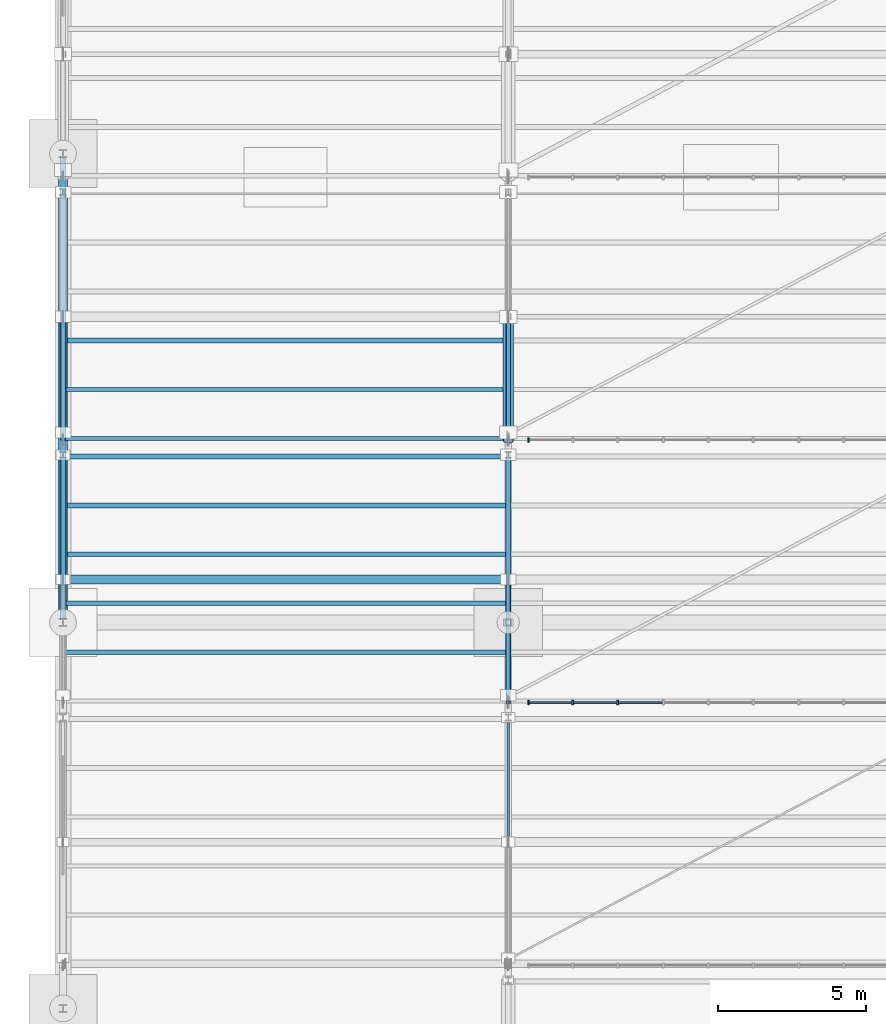
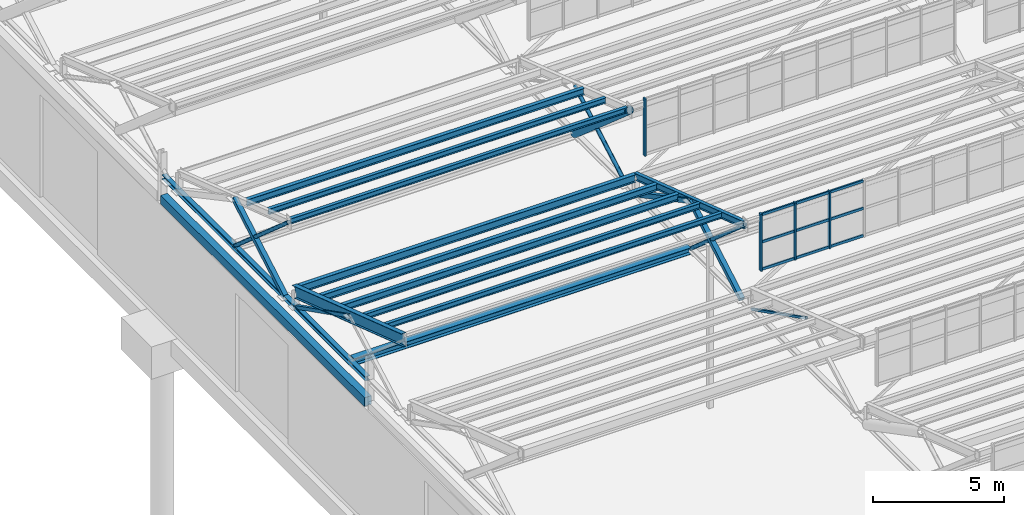
# One storey, part 51 of 285: 23 members, 12 beams, 2 elements without a shape of their own.
"""IFC4 building model written with IfcOpenShell, lengths in metres."""

from ifc_helpers import new_model, si_unit, direction, frame, origin, origin_2d, place, context, subcontext, project, spatial, rectangle, hollow_rectangle, hollow_circle, i_section, extrude, material, material_profile, profile_set, type_object, element, aggregate, save


model = new_model("IFC4")

# Units and contexts
model_context = context("Model", 3, precision=1e-05, world=origin(), true_north=direction((0.0, 1.0)))
body_context = subcontext(model_context, "Body", "Model", "MODEL_VIEW")
ifc_project = project(units=[si_unit("LENGTHUNIT", "METRE"), si_unit("AREAUNIT", "SQUARE_METRE"), si_unit("VOLUMEUNIT", "CUBIC_METRE"), si_unit("PLANEANGLEUNIT", "RADIAN"), si_unit("MASSUNIT", "GRAM", prefix="KILO")], contexts=[model_context])

# Site, building, storey
site_placement = place(None, origin())
site = spatial("IfcSite", under=ifc_project, at=site_placement, CompositionType="ELEMENT")
building_placement = place(site_placement, origin())
building = spatial("IfcBuilding", under=site, at=building_placement, Name="Solanera Park Tramway Depot", CompositionType="ELEMENT")
storey_placement = place(building_placement, origin())
storey = spatial("IfcBuildingStorey", under=building, at=storey_placement, Name="L00", CompositionType="ELEMENT", Elevation=0.0)

# Curtain wall, members
ifc_material_1 = material(Name="Bronze-anodised thermally broken aluminium curtain wall", Category="aluminium")
curtain_wall_type = type_object("IfcCurtainWallType", Name="Sawtooth Clerestory Monitor Curtain Wall", PredefinedType="NOTDEFINED", material=ifc_material_1)
curtain_wall_1_placement = place(storey_placement, origin())
curtain_wall_1 = element("IfcCurtainWall", 1, at=curtain_wall_1_placement, inside=storey, type_object=curtain_wall_type, Name="L00 Sawtooth Clerestory Monitor Curtain Wall #020", PredefinedType="NOTDEFINED")
ifc_material_2 = material(Name="Bronze-anodised structural aluminium 6063-T6", Category="aluminium")
ifc_material_profile_1 = material_profile(ifc_material_2, rectangle(XDim=0.06494140625, YDim=0.14990234375, at=origin_2d()), Name="Curtain Wall Mullion 65x150")
ifc_profile_set_1 = profile_set([ifc_material_profile_1], Name="Bronze-anodised structural aluminium 6063-T6")
member_type_1 = type_object("IfcMemberType", Name="Curtain Wall Mullion 65x150", PredefinedType="MULLION", material=ifc_profile_set_1)
member_1_placement = place(storey_placement, frame((15.6826171875, 82.300048828125, 7.75), z_axis=(0.0, 0.0, 1.0), x_axis=(1.0, 0.0, 0.0)))
member_1 = element("IfcMember", 2, at=member_1_placement, type_object=member_type_1, Name="CW-L00-020 Mullion 1", PredefinedType="MULLION", context=body_context, shape_type="SweptSolid", body=[
    extrude(rectangle(XDim=0.06494140625, YDim=0.14990234375, at=origin_2d()), origin(), (0.0, 0.0, 1.0), 2.6611328125),
])
member_2_placement = place(storey_placement, frame((17.172119140625, 82.300048828125, 7.75), z_axis=(0.0, 0.0, 1.0), x_axis=(1.0, 0.0, 0.0)))
member_2 = element("IfcMember", 3, at=member_2_placement, type_object=member_type_1, Name="CW-L00-020 Mullion 2", PredefinedType="MULLION", context=body_context, shape_type="SweptSolid", body=[
    extrude(rectangle(XDim=0.06494140625, YDim=0.14990234375, at=origin_2d()), origin(), (0.0, 0.0, 1.0), 2.6611328125),
])
member_3_placement = place(storey_placement, frame((18.6943359375, 82.300048828125, 7.75), z_axis=(0.0, 0.0, 1.0), x_axis=(1.0, 0.0, 0.0)))
member_3 = element("IfcMember", 4, at=member_3_placement, type_object=member_type_1, Name="CW-L00-020 Mullion 3", PredefinedType="MULLION", context=body_context, shape_type="SweptSolid", body=[
    extrude(rectangle(XDim=0.06494140625, YDim=0.14990234375, at=origin_2d()), origin(), (0.0, 0.0, 1.0), 2.6611328125),
])

# Curtain wall, member
curtain_wall_2_placement = place(storey_placement, origin())
curtain_wall_2 = element("IfcCurtainWall", 5, at=curtain_wall_2_placement, inside=storey, type_object=curtain_wall_type, Name="L00 Sawtooth Clerestory Monitor Curtain Wall #028", PredefinedType="NOTDEFINED")
member_4_placement = place(storey_placement, frame((15.6826171875, 91.14990234375, 7.75), z_axis=(0.0, 0.0, 1.0), x_axis=(1.0, 0.0, 0.0)))
member_4 = element("IfcMember", 6, at=member_4_placement, type_object=member_type_1, Name="CW-L00-028 Mullion 1", PredefinedType="MULLION", context=body_context, shape_type="SweptSolid", body=[
    extrude(rectangle(XDim=0.06494140625, YDim=0.14990234375, at=origin_2d()), origin(), (0.0, 0.0, 1.0), 2.6611328125),
])
aggregate(curtain_wall_2, [member_4])

# Member
ifc_material_3 = material(Name="Bronze-anodised structural aluminium 6063-T6", Category="aluminium")
ifc_material_profile_2 = material_profile(ifc_material_3, rectangle(XDim=0.06494140625, YDim=0.1201171875, at=origin_2d()), Name="Curtain Wall Transom 65x120")
ifc_profile_set_2 = profile_set([ifc_material_profile_2], Name="Bronze-anodised structural aluminium 6063-T6")
member_type_2 = type_object("IfcMemberType", Name="Curtain Wall Transom 65x120", PredefinedType="USERDEFINED", material=ifc_profile_set_2)
member_5_placement = place(storey_placement, frame((15.71044921875, 82.300048828125, 7.81005859375), z_axis=(1.0, 0.0, 0.0), x_axis=(0.0, 1.0, 0.0)))
member_5 = element("IfcMember", 7, at=member_5_placement, type_object=member_type_2, Name="CW-L00-020 Transom R1.C1", ObjectType="TRANSOM", PredefinedType="USERDEFINED", context=body_context, shape_type="SweptSolid", body=[
    extrude(rectangle(XDim=0.06494140625, YDim=0.1201171875, at=origin_2d()), origin(), (0.0, 0.0, 1.0), 1.433837890625),
])

member_6_placement = place(storey_placement, frame((17.2001953125, 82.300048828125, 7.81005859375), z_axis=(1.0, 0.0, 0.0), x_axis=(0.0, 1.0, 0.0)))
member_6 = element("IfcMember", 8, at=member_6_placement, type_object=member_type_2, Name="CW-L00-020 Transom R1.C2", ObjectType="TRANSOM", PredefinedType="USERDEFINED", context=body_context, shape_type="SweptSolid", body=[
    extrude(rectangle(XDim=0.06494140625, YDim=0.1201171875, at=origin_2d()), origin(), (0.0, 0.0, 1.0), 1.46630859375),
])

member_7_placement = place(storey_placement, frame((18.722412109375, 82.300048828125, 7.81005859375), z_axis=(1.0, 0.0, 0.0), x_axis=(0.0, 1.0, 0.0)))
member_7 = element("IfcMember", 9, at=member_7_placement, type_object=member_type_2, Name="CW-L00-020 Transom R1.C3", ObjectType="TRANSOM", PredefinedType="USERDEFINED", context=body_context, shape_type="SweptSolid", body=[
    extrude(rectangle(XDim=0.06494140625, YDim=0.1201171875, at=origin_2d()), origin(), (0.0, 0.0, 1.0), 1.46630859375),
])

member_8_placement = place(storey_placement, frame((15.71044921875, 82.300048828125, 9.08056640625), z_axis=(1.0, 0.0, 0.0), x_axis=(0.0, 1.0, 0.0)))
member_8 = element("IfcMember", 10, at=member_8_placement, type_object=member_type_2, Name="CW-L00-020 Transom R2.C1", ObjectType="TRANSOM", PredefinedType="USERDEFINED", context=body_context, shape_type="SweptSolid", body=[
    extrude(rectangle(XDim=0.06494140625, YDim=0.1201171875, at=origin_2d()), origin(), (0.0, 0.0, 1.0), 1.433837890625),
])

member_9_placement = place(storey_placement, frame((17.2001953125, 82.300048828125, 9.08056640625), z_axis=(1.0, 0.0, 0.0), x_axis=(0.0, 1.0, 0.0)))
member_9 = element("IfcMember", 11, at=member_9_placement, type_object=member_type_2, Name="CW-L00-020 Transom R2.C2", ObjectType="TRANSOM", PredefinedType="USERDEFINED", context=body_context, shape_type="SweptSolid", body=[
    extrude(rectangle(XDim=0.06494140625, YDim=0.1201171875, at=origin_2d()), origin(), (0.0, 0.0, 1.0), 1.46630859375),
])

member_10_placement = place(storey_placement, frame((18.722412109375, 82.300048828125, 9.08056640625), z_axis=(1.0, 0.0, 0.0), x_axis=(0.0, 1.0, 0.0)))
member_10 = element("IfcMember", 12, at=member_10_placement, type_object=member_type_2, Name="CW-L00-020 Transom R2.C3", ObjectType="TRANSOM", PredefinedType="USERDEFINED", context=body_context, shape_type="SweptSolid", body=[
    extrude(rectangle(XDim=0.06494140625, YDim=0.1201171875, at=origin_2d()), origin(), (0.0, 0.0, 1.0), 1.46630859375),
])

member_11_placement = place(storey_placement, frame((15.71044921875, 82.300048828125, 10.351318359375), z_axis=(1.0, 0.0, 0.0), x_axis=(0.0, 1.0, 0.0)))
member_11 = element("IfcMember", 13, at=member_11_placement, type_object=member_type_2, Name="CW-L00-020 Transom R3.C1", ObjectType="TRANSOM", PredefinedType="USERDEFINED", context=body_context, shape_type="SweptSolid", body=[
    extrude(rectangle(XDim=0.06494140625, YDim=0.1201171875, at=origin_2d()), origin(), (0.0, 0.0, 1.0), 1.433837890625),
])

member_12_placement = place(storey_placement, frame((17.2001953125, 82.300048828125, 10.351318359375), z_axis=(1.0, 0.0, 0.0), x_axis=(0.0, 1.0, 0.0)))
member_12 = element("IfcMember", 14, at=member_12_placement, type_object=member_type_2, Name="CW-L00-020 Transom R3.C2", ObjectType="TRANSOM", PredefinedType="USERDEFINED", context=body_context, shape_type="SweptSolid", body=[
    extrude(rectangle(XDim=0.06494140625, YDim=0.1201171875, at=origin_2d()), origin(), (0.0, 0.0, 1.0), 1.46630859375),
])

member_13_placement = place(storey_placement, frame((18.722412109375, 82.300048828125, 10.351318359375), z_axis=(1.0, 0.0, 0.0), x_axis=(0.0, 1.0, 0.0)))
member_13 = element("IfcMember", 15, at=member_13_placement, type_object=member_type_2, Name="CW-L00-020 Transom R3.C3", ObjectType="TRANSOM", PredefinedType="USERDEFINED", context=body_context, shape_type="SweptSolid", body=[
    extrude(rectangle(XDim=0.06494140625, YDim=0.1201171875, at=origin_2d()), origin(), (0.0, 0.0, 1.0), 1.46630859375),
])

aggregate(curtain_wall_1, [member_1, member_2, member_3, member_5, member_6, member_7, member_8, member_9, member_10, member_11, member_12, member_13])

# Beam
ifc_material_4 = material(Name="Concrete N40 (C40/50)", Category="concrete")
ifc_material_profile_3 = material_profile(ifc_material_4, rectangle(XDim=0.300048828125, YDim=0.39990234375, at=origin_2d()), Name="LNT 300x400")
ifc_profile_set_3 = profile_set([ifc_material_profile_3], Name="Concrete N40 (C40/50)")
beam_type_1 = type_object("IfcBeamType", Name="Opening Lintel Beam LNT 300x400", PredefinedType="LINTEL", material=ifc_profile_set_3)
beam_1_placement = place(storey_placement, frame((0.0, 85.1201171875, 5.449951171875), z_axis=(0.0, 1.0, 0.0), x_axis=(-1.0, 0.0, 0.0)))
element("IfcBeam", 16, at=beam_1_placement, inside=storey, type_object=beam_type_1, Name="L00 Portal Transom Lintel LNT 300x400 #0295", PredefinedType="LINTEL", context=body_context, shape_type="SweptSolid", body=[
    extrude(rectangle(XDim=0.300048828125, YDim=0.39990234375, at=origin_2d()), origin(), (0.0, 0.0, 1.0), 15.559814453125),
])

# Members
ifc_material_5 = material(Name="Steel AS/NZS 1163 Grade C350L0", Category="steel")
ifc_material_profile_4 = material_profile(ifc_material_5, hollow_circle(Radius=0.084228515625, WallThickness=0.00634765625, at=origin_2d()), Name="168.3x6.4 CHS")
ifc_profile_set_4 = profile_set([ifc_material_profile_4], Name="Steel AS/NZS 1163 Grade C350L0")
member_type_3 = type_object("IfcMemberType", Name="Roof Gantry Compression Strut 168.3x6.4 CHS", PredefinedType="STRUT", material=ifc_profile_set_4)
member_14_placement = place(storey_placement, frame((15.0, 91.39990234375, 6.5), z_axis=(0.0, 0.869215843308, 0.494432824297), x_axis=(-1.0, 0.0, 0.0)))
element("IfcMember", 17, at=member_14_placement, inside=storey, type_object=member_type_3, Name="Sawtooth ROOF TRUSS Strut 168.3x6.4 CHS #0184", PredefinedType="STRUT", context=body_context, shape_type="SweptSolid", body=[
    extrude(hollow_circle(Radius=0.084228515625, WallThickness=0.00634765625, at=origin_2d()), origin(), (0.0, 0.0, 1.0), 4.487060546875),
])
ifc_material_6 = material(Name="Steel AS/NZS 1163 Grade C350L0", Category="steel")
ifc_material_profile_5 = material_profile(ifc_material_6, hollow_rectangle(XDim=0.199951171875, YDim=0.199951171875, WallThickness=0.008056640625, at=origin_2d()), Name="200x200x8.0 SHS")
ifc_profile_set_5 = profile_set([ifc_material_profile_5], Name="Steel AS/NZS 1163 Grade C350L0")
member_type_4 = type_object("IfcMemberType", Name="Roof Gantry Compression Strut 200x200x8.0 SHS", PredefinedType="STRUT", material=ifc_profile_set_5)
member_15_placement = place(storey_placement, frame((15.0, 82.550048828125, 6.5), z_axis=(0.0, 0.866884023838, 0.498509868723), x_axis=(-1.0, 0.0, 0.0)))
element("IfcMember", 18, at=member_15_placement, inside=storey, type_object=member_type_4, Name="Sawtooth ROOF TRUSS Strut 200x200x8.0 SHS #0137", PredefinedType="STRUT", context=body_context, shape_type="SweptSolid", body=[
    extrude(hollow_rectangle(XDim=0.199951171875, YDim=0.199951171875, WallThickness=0.008056640625, at=origin_2d()), origin(), (0.0, 0.0, 1.0), 4.498779296875),
])
member_16_placement = place(storey_placement, frame((0.0, 91.39990234375, 6.5), z_axis=(0.0, 0.866897509249, 0.498486417525), x_axis=(-1.0, 0.0, 0.0)))
element("IfcMember", 19, at=member_16_placement, inside=storey, type_object=member_type_4, Name="Sawtooth ROOF TRUSS Strut 200x200x8.0 SHS #0181", PredefinedType="STRUT", context=body_context, shape_type="SweptSolid", body=[
    extrude(hollow_rectangle(XDim=0.199951171875, YDim=0.199951171875, WallThickness=0.008056640625, at=origin_2d()), origin(), (0.0, 0.0, 1.0), 4.4990234375),
])
ifc_material_7 = material(Name="Steel AS/NZS 3679.1 Grade 350", Category="steel")
ifc_material_profile_6 = material_profile(ifc_material_7, i_section(OverallWidth=0.306884765625, OverallDepth=0.314697265625, WebThickness=0.011962890625, FlangeThickness=0.018798828125, at=origin_2d()), Name="310UC118")
ifc_profile_set_6 = profile_set([ifc_material_profile_6], Name="Steel AS/NZS 3679.1 Grade 350")
member_type_5 = type_object("IfcMemberType", Name="Secondary Truss Chord 310UC118", PredefinedType="CHORD", material=ifc_profile_set_6)
member_17_placement = place(storey_placement, frame((0.087890625, 86.449951171875, 6.5), z_axis=(1.0, 0.0, 0.0), x_axis=(0.0, 1.0, 0.0)))
element("IfcMember", 20, at=member_17_placement, inside=storey, type_object=member_type_5, Name="Sawtooth Longitudinal Tie Chord 310UC118 #0165", PredefinedType="CHORD", context=body_context, shape_type="SweptSolid", body=[
    extrude(i_section(OverallWidth=0.306884765625, OverallDepth=0.314697265625, WebThickness=0.011962890625, FlangeThickness=0.018798828125, at=origin_2d()), origin(), (0.0, 0.0, 1.0), 14.82421875),
])

# Beams
ifc_material_8 = material(Name="Steel AS/NZS 3679.1 Grade 350", Category="steel")
ifc_material_profile_7 = material_profile(ifc_material_8, i_section(OverallWidth=0.203369140625, OverallDepth=0.203369140625, WebThickness=0.00732421875, FlangeThickness=0.010986328125, at=origin_2d()), Name="200UC46.2")
ifc_profile_set_7 = profile_set([ifc_material_profile_7], Name="Steel AS/NZS 3679.1 Grade 350")
beam_type_2 = type_object("IfcBeamType", Name="Steel Beam 200UC46.2", PredefinedType="BEAM", material=ifc_profile_set_7)
beam_2_placement = place(storey_placement, frame((0.0, 85.127685546875, 6.5), z_axis=(0.0, 1.0, 0.0), x_axis=(-1.0, 0.0, 0.0)))
element("IfcBeam", 21, at=beam_2_placement, inside=storey, type_object=beam_type_2, Name="Sawtooth ROOF TRUSS Bottom Chord 200UC46.2 #0367", PredefinedType="BEAM", context=body_context, shape_type="SweptSolid", body=[
    extrude(i_section(OverallWidth=0.203369140625, OverallDepth=0.203369140625, WebThickness=0.00732421875, FlangeThickness=0.010986328125, at=origin_2d()), origin(), (0.0, 0.0, 1.0), 15.54541015625),
])
ifc_material_9 = material(Name="Steel AS/NZS 3679.1 Grade 350", Category="steel")
ifc_material_profile_8 = material_profile(ifc_material_9, i_section(OverallWidth=0.166015625, OverallDepth=0.30712890625, WebThickness=0.006591796875, FlangeThickness=0.01171875, at=origin_2d()), Name="310UB46.2")
ifc_profile_set_8 = profile_set([ifc_material_profile_8], Name="Steel AS/NZS 3679.1 Grade 350")
beam_type_3 = type_object("IfcBeamType", Name="Steel Beam 310UB46.2", PredefinedType="BEAM", material=ifc_profile_set_8)
beam_3_placement = place(storey_placement, frame((15.0, 82.300048828125, 10.131103515625), z_axis=(0.0, 0.948327781215, -0.317292324799), x_axis=(-1.0, 0.0, 0.0)))
element("IfcBeam", 22, at=beam_3_placement, inside=storey, type_object=beam_type_3, Name="Sawtooth ROOF TRUSS Top Rafter 310UB46.2 B04-T2", PredefinedType="BEAM", context=body_context, shape_type="SweptSolid", body=[
    extrude(i_section(OverallWidth=0.166015625, OverallDepth=0.30712890625, WebThickness=0.006591796875, FlangeThickness=0.01171875, at=origin_2d()), origin(), (0.0, 0.0, 1.0), 8.804931640625),
])
ifc_material_10 = material(Name="Steel AS/NZS 3679.1 Grade 350", Category="steel")
ifc_material_profile_9 = material_profile(ifc_material_10, i_section(OverallWidth=0.209228515625, OverallDepth=0.532958984375, WebThickness=0.01025390625, FlangeThickness=0.015625, at=origin_2d()), Name="530UB92.4")
ifc_profile_set_9 = profile_set([ifc_material_profile_9], Name="Steel AS/NZS 3679.1 Grade 350")
beam_type_4 = type_object("IfcBeamType", Name="Steel Beam 530UB92.4", PredefinedType="BEAM", material=ifc_profile_set_9)
beam_4_placement = place(storey_placement, frame((0.0, 82.300048828125, 10.018310546875), z_axis=(0.0, 0.948319437663, -0.317317261034), x_axis=(-1.0, 0.0, 0.0)))
element("IfcBeam", 23, at=beam_4_placement, inside=storey, type_object=beam_type_4, Name="Sawtooth ROOF TRUSS Top Rafter 530UB92.4 B04-T1", PredefinedType="BEAM", context=body_context, shape_type="SweptSolid", body=[
    extrude(i_section(OverallWidth=0.209228515625, OverallDepth=0.532958984375, WebThickness=0.01025390625, FlangeThickness=0.015625, at=origin_2d()), origin(), (0.0, 0.0, 1.0), 8.804931640625),
])
ifc_material_11 = material(Name="Steel AS/NZS 3679.1 Grade 350", Category="steel")
ifc_material_profile_10 = material_profile(ifc_material_11, i_section(OverallWidth=0.14599609375, OverallDepth=0.251708984375, WebThickness=0.006103515625, FlangeThickness=0.008544921875, at=origin_2d()), Name="250UB31.4")
ifc_profile_set_10 = profile_set([ifc_material_profile_10], Name="Steel AS/NZS 3679.1 Grade 350")
beam_type_5 = type_object("IfcBeamType", Name="Steel Joist Purlin 250UB31.4", PredefinedType="JOIST", material=ifc_profile_set_10)
beam_5_placement = place(storey_placement, frame((0.0966796875, 84.0, 9.587890625), z_axis=(1.0, 0.0, 0.0), x_axis=(0.0, 1.0, 0.0)))
element("IfcBeam", 24, at=beam_5_placement, inside=storey, type_object=beam_type_5, Name="Sawtooth Roof Purlin 250UB31.4 B04.2", PredefinedType="JOIST", context=body_context, shape_type="SweptSolid", body=[
    extrude(i_section(OverallWidth=0.14599609375, OverallDepth=0.251708984375, WebThickness=0.006103515625, FlangeThickness=0.008544921875, at=origin_2d()), origin(), (0.0, 0.0, 1.0), 14.828369140625),
])
beam_6_placement = place(storey_placement, frame((0.074951171875, 91.199951171875, 10.139892578125), z_axis=(1.0, 0.0, 0.0), x_axis=(0.0, 1.0, 0.0)))
element("IfcBeam", 25, at=beam_6_placement, inside=storey, type_object=beam_type_5, Name="Sawtooth Roof Purlin 250UB31.4 B05.1", PredefinedType="JOIST", context=body_context, shape_type="SweptSolid", body=[
    extrude(i_section(OverallWidth=0.14599609375, OverallDepth=0.251708984375, WebThickness=0.006103515625, FlangeThickness=0.008544921875, at=origin_2d()), origin(), (0.0, 0.0, 1.0), 14.84716796875),
])
ifc_material_12 = material(Name="Steel AS/NZS 3679.1 Grade 350", Category="steel")
ifc_material_profile_11 = material_profile(ifc_material_12, i_section(OverallWidth=0.146484375, OverallDepth=0.256103515625, WebThickness=0.00634765625, FlangeThickness=0.010986328125, at=origin_2d()), Name="250UB37.3")
ifc_profile_set_11 = profile_set([ifc_material_profile_11], Name="Steel AS/NZS 3679.1 Grade 350")
beam_type_6 = type_object("IfcBeamType", Name="Steel Joist Purlin 250UB37.3", PredefinedType="JOIST", material=ifc_profile_set_11)
beam_7_placement = place(storey_placement, frame((0.0966796875, 85.64990234375, 9.033203125), z_axis=(1.0, 0.0, 0.0), x_axis=(0.0, 1.0, 0.0)))
element("IfcBeam", 26, at=beam_7_placement, inside=storey, type_object=beam_type_6, Name="Sawtooth Roof Purlin 250UB37.3 B04.3", PredefinedType="JOIST", context=body_context, shape_type="SweptSolid", body=[
    extrude(i_section(OverallWidth=0.146484375, OverallDepth=0.256103515625, WebThickness=0.00634765625, FlangeThickness=0.010986328125, at=origin_2d()), origin(), (0.0, 0.0, 1.0), 14.828369140625),
])
beam_8_placement = place(storey_placement, frame((0.074951171875, 92.85009765625, 9.58544921875), z_axis=(1.0, 0.0, 0.0), x_axis=(0.0, 1.0, 0.0)))
element("IfcBeam", 27, at=beam_8_placement, inside=storey, type_object=beam_type_6, Name="Sawtooth Roof Purlin 250UB37.3 B05.2", PredefinedType="JOIST", context=body_context, shape_type="SweptSolid", body=[
    extrude(i_section(OverallWidth=0.146484375, OverallDepth=0.256103515625, WebThickness=0.00634765625, FlangeThickness=0.010986328125, at=origin_2d()), origin(), (0.0, 0.0, 1.0), 14.84716796875),
])
ifc_material_13 = material(Name="Steel AS/NZS 3679.1 Grade 350", Category="steel")
ifc_material_profile_12 = material_profile(ifc_material_13, i_section(OverallWidth=0.1650390625, OverallDepth=0.3037109375, WebThickness=0.006103515625, FlangeThickness=0.01025390625, at=origin_2d()), Name="310UB40.4")
ifc_profile_set_12 = profile_set([ifc_material_profile_12], Name="Steel AS/NZS 3679.1 Grade 350")
beam_type_7 = type_object("IfcBeamType", Name="Steel Joist Purlin 310UB40.4", PredefinedType="JOIST", material=ifc_profile_set_12)
beam_9_placement = place(storey_placement, frame((0.0966796875, 87.300048828125, 8.454345703125), z_axis=(1.0, 0.0, 0.0), x_axis=(0.0, 1.0, 0.0)))
element("IfcBeam", 28, at=beam_9_placement, inside=storey, type_object=beam_type_7, Name="Sawtooth Roof Purlin 310UB40.4 B04.4", PredefinedType="JOIST", context=body_context, shape_type="SweptSolid", body=[
    extrude(i_section(OverallWidth=0.1650390625, OverallDepth=0.3037109375, WebThickness=0.006103515625, FlangeThickness=0.01025390625, at=origin_2d()), origin(), (0.0, 0.0, 1.0), 14.828369140625),
])
beam_10_placement = place(storey_placement, frame((0.074951171875, 94.5, 9.00634765625), z_axis=(1.0, 0.0, 0.0), x_axis=(0.0, 1.0, 0.0)))
element("IfcBeam", 29, at=beam_10_placement, inside=storey, type_object=beam_type_7, Name="Sawtooth Roof Purlin 310UB40.4 B05.3", PredefinedType="JOIST", context=body_context, shape_type="SweptSolid", body=[
    extrude(i_section(OverallWidth=0.1650390625, OverallDepth=0.3037109375, WebThickness=0.006103515625, FlangeThickness=0.01025390625, at=origin_2d()), origin(), (0.0, 0.0, 1.0), 14.84716796875),
])
ifc_material_14 = material(Name="Steel AS/NZS 3679.1 Grade 350", Category="steel")
ifc_material_profile_13 = material_profile(ifc_material_14, i_section(OverallWidth=0.166015625, OverallDepth=0.30712890625, WebThickness=0.006591796875, FlangeThickness=0.01171875, at=origin_2d()), Name="310UB46.2")
ifc_profile_set_13 = profile_set([ifc_material_profile_13], Name="Steel AS/NZS 3679.1 Grade 350")
beam_type_8 = type_object("IfcBeamType", Name="Steel Joist Purlin 310UB46.2", PredefinedType="JOIST", material=ifc_profile_set_13)
beam_11_placement = place(storey_placement, frame((0.0966796875, 88.949951171875, 7.900390625), z_axis=(1.0, 0.0, 0.0), x_axis=(0.0, 1.0, 0.0)))
element("IfcBeam", 30, at=beam_11_placement, inside=storey, type_object=beam_type_8, Name="Sawtooth Roof Purlin 310UB46.2 B04.5", PredefinedType="JOIST", context=body_context, shape_type="SweptSolid", body=[
    extrude(i_section(OverallWidth=0.166015625, OverallDepth=0.30712890625, WebThickness=0.006591796875, FlangeThickness=0.01171875, at=origin_2d()), origin(), (0.0, 0.0, 1.0), 14.828369140625),
])
ifc_material_15 = material(Name="Steel AS/NZS 3679.1 Grade 350", Category="steel")
ifc_material_profile_14 = material_profile(ifc_material_15, i_section(OverallWidth=0.17138671875, OverallDepth=0.355712890625, WebThickness=0.00732421875, FlangeThickness=0.011474609375, at=origin_2d()), Name="360UB50.7")
ifc_profile_set_14 = profile_set([ifc_material_profile_14], Name="Steel AS/NZS 3679.1 Grade 350")
beam_type_9 = type_object("IfcBeamType", Name="Steel Joist Purlin 360UB50.7", PredefinedType="JOIST", material=ifc_profile_set_14)
beam_12_placement = place(storey_placement, frame((0.0966796875, 90.60009765625, 7.3232421875), z_axis=(1.0, 0.0, 0.0), x_axis=(0.0, 1.0, 0.0)))
element("IfcBeam", 31, at=beam_12_placement, inside=storey, type_object=beam_type_9, Name="Sawtooth Roof Purlin 360UB50.7 B04.6", PredefinedType="JOIST", context=body_context, shape_type="SweptSolid", body=[
    extrude(i_section(OverallWidth=0.17138671875, OverallDepth=0.355712890625, WebThickness=0.00732421875, FlangeThickness=0.011474609375, at=origin_2d()), origin(), (0.0, 0.0, 1.0), 14.828369140625),
])

# Members
ifc_material_16 = material(Name="Steel AS/NZS 1163 Grade C350L0", Category="steel")
ifc_material_profile_15 = material_profile(ifc_material_16, hollow_rectangle(XDim=0.10009765625, YDim=0.10009765625, WallThickness=0.0048828125, at=origin_2d()), Name="100x100x5.0 SHS")
ifc_profile_set_15 = profile_set([ifc_material_profile_15], Name="Steel AS/NZS 1163 Grade C350L0")
member_type_6 = type_object("IfcMemberType", Name="Truss and Frame Brace 100x100x5.0 SHS", PredefinedType="BRACE", material=ifc_profile_set_15)
member_18_placement = place(storey_placement, frame((15.0, 81.800048828125, 6.5), z_axis=(0.0, -0.891893316909, 0.452245852665), x_axis=(1.0, 0.0, 0.0)))
element("IfcMember", 32, at=member_18_placement, inside=storey, type_object=member_type_6, Name="Sawtooth ROOF TRUSS Diagonal 100x100x5.0 SHS #0089", PredefinedType="BRACE", context=body_context, shape_type="SweptSolid", body=[
    extrude(hollow_rectangle(XDim=0.10009765625, YDim=0.10009765625, WallThickness=0.0048828125, at=origin_2d()), origin(), (0.0, 0.0, 1.0), 4.708984375),
])
ifc_material_17 = material(Name="Steel AS/NZS 1163 Grade C350L0", Category="steel")
ifc_material_profile_16 = material_profile(ifc_material_17, hollow_rectangle(XDim=0.14990234375, YDim=0.14990234375, WallThickness=0.006103515625, at=origin_2d()), Name="150x150x6.0 SHS")
ifc_profile_set_16 = profile_set([ifc_material_profile_16], Name="Steel AS/NZS 1163 Grade C350L0")
member_type_7 = type_object("IfcMemberType", Name="Truss and Frame Brace 150x150x6.0 SHS", PredefinedType="BRACE", material=ifc_profile_set_16)
member_19_placement = place(storey_placement, frame((0.0, 90.64990234375, 6.5), z_axis=(0.0, -0.891893316909, 0.452245852665), x_axis=(1.0, 0.0, 0.0)))
element("IfcMember", 33, at=member_19_placement, inside=storey, type_object=member_type_7, Name="Sawtooth ROOF TRUSS Diagonal 150x150x6.0 SHS #0133", PredefinedType="BRACE", context=body_context, shape_type="SweptSolid", body=[
    extrude(hollow_rectangle(XDim=0.14990234375, YDim=0.14990234375, WallThickness=0.006103515625, at=origin_2d()), origin(), (0.0, 0.0, 1.0), 4.708984375),
])
ifc_material_18 = material(Name="Steel AS/NZS 1163 Grade C350L0", Category="steel")
ifc_material_profile_17 = material_profile(ifc_material_18, hollow_circle(Radius=0.084228515625, WallThickness=0.00634765625, at=origin_2d()), Name="168.3x6.4 CHS")
ifc_profile_set_17 = profile_set([ifc_material_profile_17], Name="Steel AS/NZS 1163 Grade C350L0")
member_type_8 = type_object("IfcMemberType", Name="Truss and Frame Brace 168.3x6.4 CHS", PredefinedType="BRACE", material=ifc_profile_set_17)
member_20_placement = place(storey_placement, frame((15.0, 86.449951171875, 6.5), z_axis=(0.0, -0.752582180048, 0.658498338855), x_axis=(1.0, 0.0, 0.0)))
element("IfcMember", 34, at=member_20_placement, inside=storey, type_object=member_type_8, Name="Sawtooth ROOF TRUSS Web Brace 168.3x6.4 CHS #0135", PredefinedType="BRACE", context=body_context, shape_type="SweptSolid", body=[
    extrude(hollow_circle(Radius=0.084228515625, WallThickness=0.00634765625, at=origin_2d()), origin(), (0.0, 0.0, 1.0), 5.51416015625),
])
member_21_placement = place(storey_placement, frame((0.0, 95.300048828125, 6.5), z_axis=(0.0, -0.752601377508, 0.658476397886), x_axis=(1.0, 0.0, 0.0)))
element("IfcMember", 35, at=member_21_placement, inside=storey, type_object=member_type_8, Name="Sawtooth ROOF TRUSS Web Brace 168.3x6.4 CHS #0179", PredefinedType="BRACE", context=body_context, shape_type="SweptSolid", body=[
    extrude(hollow_circle(Radius=0.084228515625, WallThickness=0.00634765625, at=origin_2d()), origin(), (0.0, 0.0, 1.0), 5.514404296875),
])
ifc_material_19 = material(Name="Steel AS/NZS 1163 Grade C350L0", Category="steel")
ifc_material_profile_18 = material_profile(ifc_material_19, hollow_rectangle(XDim=0.199951171875, YDim=0.199951171875, WallThickness=0.008056640625, at=origin_2d()), Name="200x200x8.0 SHS")
ifc_profile_set_18 = profile_set([ifc_material_profile_18], Name="Steel AS/NZS 1163 Grade C350L0")
member_type_9 = type_object("IfcMemberType", Name="Truss and Frame Brace 200x200x8.0 SHS", PredefinedType="BRACE", material=ifc_profile_set_18)
member_22_placement = place(storey_placement, frame((15.0, 90.64990234375, 6.5), z_axis=(0.0, -0.882117205046, 0.471029974165), x_axis=(1.0, 0.0, 0.0)))
element("IfcMember", 36, at=member_22_placement, inside=storey, type_object=member_type_9, Name="Sawtooth ROOF TRUSS Diagonal 200x200x8.0 SHS #0136", PredefinedType="BRACE", context=body_context, shape_type="SweptSolid", body=[
    extrude(hollow_rectangle(XDim=0.199951171875, YDim=0.199951171875, WallThickness=0.008056640625, at=origin_2d()), origin(), (0.0, 0.0, 1.0), 4.76123046875),
])
ifc_material_20 = material(Name="Steel AS/NZS 1163 Grade C350L0", Category="steel")
ifc_material_profile_19 = material_profile(ifc_material_20, hollow_circle(Radius=0.177734375, WallThickness=0.0126953125, at=origin_2d()), Name="355.6x12.7 CHS")
ifc_profile_set_19 = profile_set([ifc_material_profile_19], Name="Steel AS/NZS 1163 Grade C350L0")
member_type_10 = type_object("IfcMemberType", Name="Truss and Frame Brace 355.6x12.7 CHS", PredefinedType="BRACE", material=ifc_profile_set_19)
member_23_placement = place(storey_placement, frame((15.0, 95.300048828125, 6.5), z_axis=(0.0, -0.754775645554, 0.655983021791), x_axis=(1.0, 0.0, 0.0)))
element("IfcMember", 37, at=member_23_placement, inside=storey, type_object=member_type_10, Name="Sawtooth ROOF TRUSS Web Brace 355.6x12.7 CHS #0182", PredefinedType="BRACE", context=body_context, shape_type="SweptSolid", body=[
    extrude(hollow_circle(Radius=0.177734375, WallThickness=0.0126953125, at=origin_2d()), origin(), (0.0, 0.0, 1.0), 5.49853515625),
])

save(model, "model.ifc")
